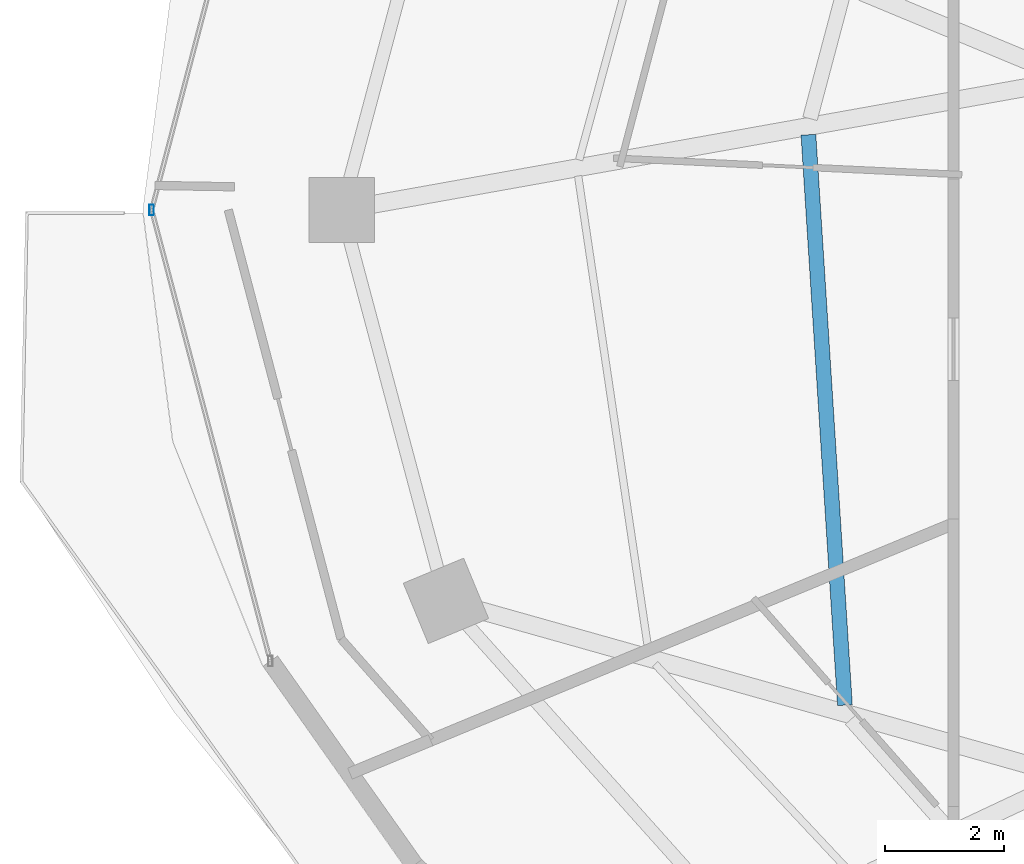
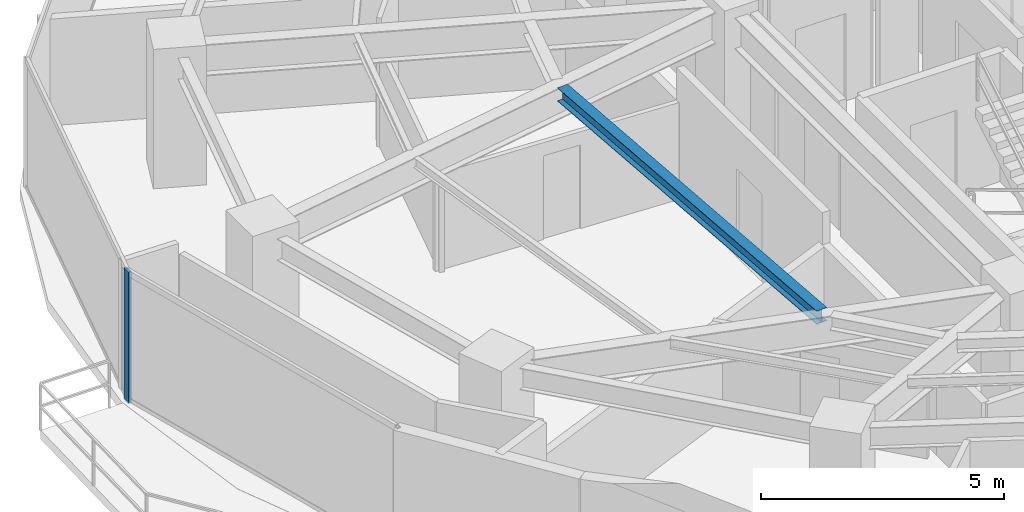
# One storey, part 7 of 31: 1 beam, 1 member, 1 element without a shape of its own.
"""IFC4 building model written with IfcOpenShell, lengths in metres."""

from ifc_helpers import new_model, si_unit, direction, frame, origin, origin_2d, place, context, subcontext, project, spatial, hollow_rectangle, i_section, extrude, material, material_profile, profile_set, type_object, element, aggregate, save


model = new_model("IFC4")

# Units and contexts
model_context = context("Model", 3, precision=1e-05, world=origin(), true_north=direction((0.0, 1.0)))
body_context = subcontext(model_context, "Body", "Model", "MODEL_VIEW")
ifc_project = project(units=[si_unit("LENGTHUNIT", "METRE"), si_unit("AREAUNIT", "SQUARE_METRE"), si_unit("VOLUMEUNIT", "CUBIC_METRE"), si_unit("PLANEANGLEUNIT", "RADIAN"), si_unit("MASSUNIT", "GRAM", prefix="KILO")], contexts=[model_context])

# Site, building, storey
site_placement = place(None, origin())
site = spatial("IfcSite", under=ifc_project, at=site_placement, CompositionType="ELEMENT")
building_placement = place(site_placement, origin())
building = spatial("IfcBuilding", under=site, at=building_placement, Name="Vorneva Point Tower", CompositionType="ELEMENT")
storey_placement = place(building_placement, frame((0.0, 0.0, 99.800048828125)))
storey = spatial("IfcBuildingStorey", under=building, at=storey_placement, Name="L26", CompositionType="ELEMENT", Elevation=99.800048828125)

# Beam
ifc_material_1 = material(Name="Steel S355", Category="steel")
ifc_material_profile_1 = material_profile(ifc_material_1, i_section(OverallWidth=0.2490234375, OverallDepth=0.333984375, WebThickness=0.008056640625, FlangeThickness=0.010986328125, at=origin_2d()), Name="35Sh1")
ifc_profile_set_1 = profile_set([ifc_material_profile_1], Name="Steel S355")
beam_type = type_object("IfcBeamType", Name="BM-SEC-35Sh1", PredefinedType="BEAM", material=ifc_profile_set_1)
beam_placement = place(storey_placement, frame((22.807373046875, 27.26611328125, 3.072998046875), z_axis=(0.063856594897, -0.997959084977, 0.0), x_axis=(0.997959084977, 0.063856594897, 0.0)))
element("IfcBeam", 1, at=beam_placement, inside=storey, type_object=beam_type, Name="L26 Secondary Floor Beam 2.09", PredefinedType="BEAM", context=body_context, shape_type="SweptSolid", body=[
    extrude(i_section(OverallWidth=0.2490234375, OverallDepth=0.333984375, WebThickness=0.008056640625, FlangeThickness=0.010986328125, at=origin_2d()), origin(), (0.0, 0.0, 1.0), 9.623046875),
])

# Curtain wall, member
ifc_material_2 = material(Name="Pale anodised aluminium", Category="aluminium")
curtain_wall_type = type_object("IfcCurtainWallType", Name="CW-HTL-SYS", PredefinedType="NOTDEFINED", material=ifc_material_2)
curtain_wall_placement = place(storey_placement, origin())
curtain_wall = element("IfcCurtainWall", 2, at=curtain_wall_placement, inside=storey, type_object=curtain_wall_type, Name="L26 Unitised Curtain Wall CW-L26-R03", PredefinedType="NOTDEFINED")
ifc_material_profile_2 = material_profile(ifc_material_2, hollow_rectangle(XDim=0.074951171875, YDim=0.179931640625, WallThickness=0.00390625, at=origin_2d()), Name="AL-MUL 180x75x4")
ifc_profile_set_2 = profile_set([ifc_material_profile_2], Name="Pale anodised aluminium")
member_type = type_object("IfcMemberType", Name="CW-MUL-180", PredefinedType="MULLION", material=ifc_profile_set_2)
member_placement = place(storey_placement, frame((11.75, 26.0, -0.0400390625), z_axis=(0.0, 0.0, 1.0), x_axis=(1.0, 0.0, 0.0)))
member = element("IfcMember", 3, at=member_placement, type_object=member_type, Name="CW-L26-R03 Mullion 03", PredefinedType="MULLION", context=body_context, shape_type="SweptSolid", body=[
    extrude(hollow_rectangle(XDim=0.074951171875, YDim=0.179931640625, WallThickness=0.00390625, at=origin_2d()), origin(), (0.0, 0.0, 1.0), 3.31005859375),
])
aggregate(curtain_wall, [member])

save(model, "model.ifc")
